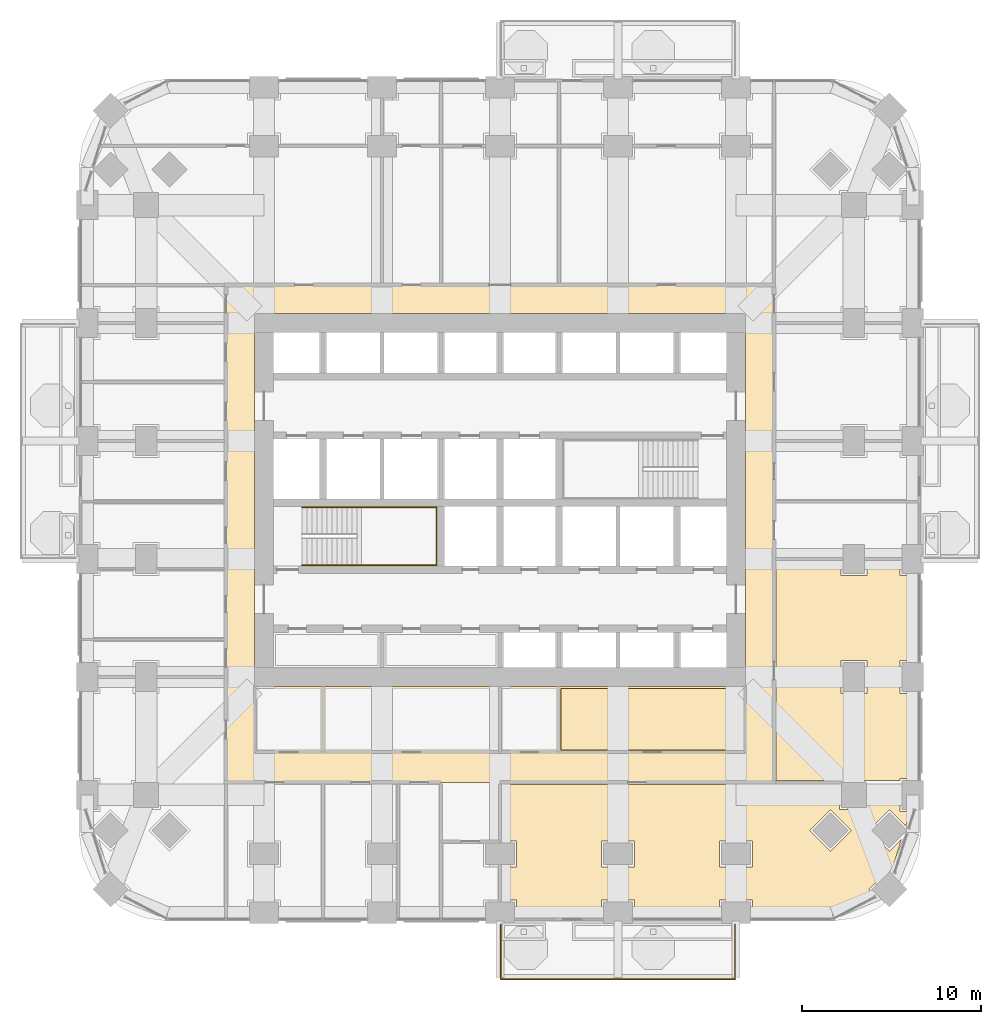
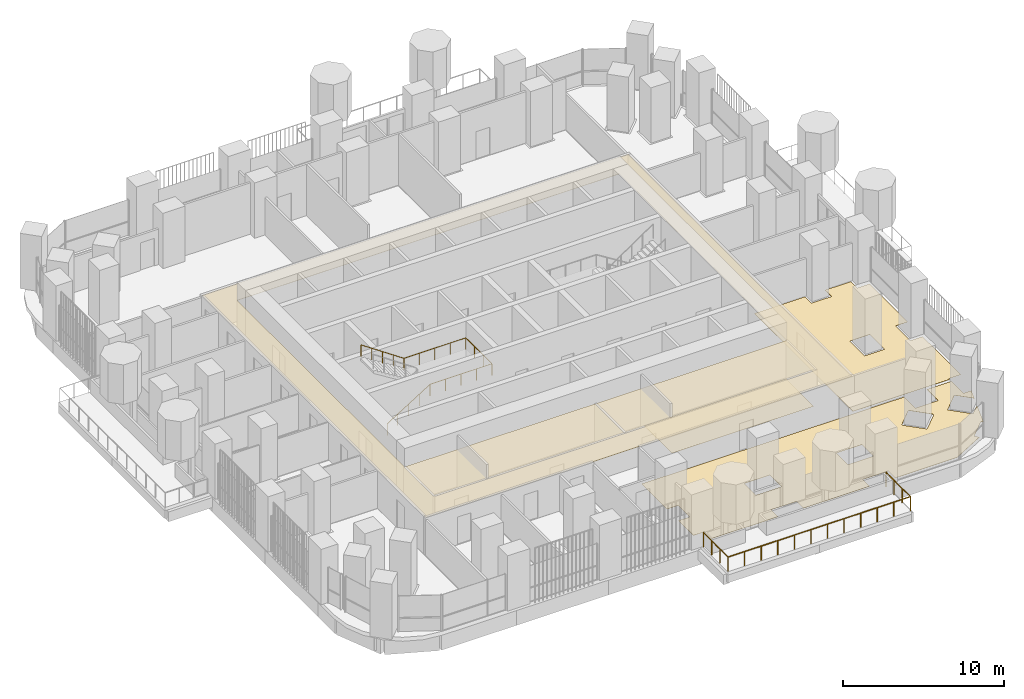
# One storey, part 18 of 21: 4 coverings, 2 railings.
"""IFC4 building model written with IfcOpenShell, lengths in metres."""

from ifc_helpers import new_model, si_unit, direction, frame, origin, place, context, subcontext, project, spatial, polyline, outline, extrude, material, layer, layer_set, type_object, element, save


model = new_model("IFC4")

# Units and contexts
model_context = context("Model", 3, precision=1e-05, world=origin(), true_north=direction((0.0, 1.0)))
body_context = subcontext(model_context, "Body", "Model", "MODEL_VIEW")
ifc_project = project(units=[si_unit("LENGTHUNIT", "METRE"), si_unit("AREAUNIT", "SQUARE_METRE"), si_unit("VOLUMEUNIT", "CUBIC_METRE"), si_unit("PLANEANGLEUNIT", "RADIAN"), si_unit("MASSUNIT", "GRAM", prefix="KILO")], contexts=[model_context])

# Site, building, storey
site_placement = place(None, origin())
site = spatial("IfcSite", under=ifc_project, at=site_placement, CompositionType="ELEMENT")
building_placement = place(site_placement, origin())
building = spatial("IfcBuilding", under=site, at=building_placement, Name="Cobogo Forest Laboratory Tower", CompositionType="ELEMENT")
storey_placement = place(building_placement, frame((0.0, 0.0, 86.39990234375)))
storey = spatial("IfcBuildingStorey", under=building, at=storey_placement, Name="L19", CompositionType="ELEMENT", Elevation=86.39990234375)

# Railing
ifc_material_1 = material(Name="Laminated glass balustrade", Category="glass")
railing_type_1 = type_object("IfcRailingType", Name="BG1 glass balustrade 1100", PredefinedType="GUARDRAIL", material=ifc_material_1)
railing_1_placement = place(storey_placement, frame((26.449951171875, -0.64990234375, 0.0)))
element("IfcRailing", 1, at=railing_1_placement, inside=storey, type_object=railing_type_1, Name="Balcony balustrade BAL-S1 L19", PredefinedType="GUARDRAIL", context=body_context, shape_type="SweptSolid", body=[
    extrude(outline(polyline([(0.022216796875, 0.00927734375), (0.00927734375, 0.022216796875), (-0.00927734375, 0.022216796875), (-0.022216796875, 0.00927734375), (-0.022216796875, -0.00927734375), (-0.00927734375, -0.022216796875), (0.00927734375, -0.022216796875), (0.022216796875, -0.00927734375), (0.022216796875, 0.00927734375)])), frame((0.0, 0.0, 1.077880859375), z_axis=(0.0, -1.0, 0.0), x_axis=(1.0, 0.0, 0.0)), (0.0, 0.0, 1.0), 3.050048828125),
    extrude(outline(polyline([(0.022216796875, 0.00927734375), (0.00927734375, 0.022216796875), (-0.00927734375, 0.022216796875), (-0.022216796875, 0.00927734375), (-0.022216796875, -0.00927734375), (-0.00927734375, -0.022216796875), (0.00927734375, -0.022216796875), (0.022216796875, -0.00927734375), (0.022216796875, 0.00927734375)])), frame((0.0, -3.050048828125, 1.077880859375), z_axis=(1.0, 0.0, 0.0), x_axis=(0.0, 1.0, 0.0)), (0.0, 0.0, 1.0), 13.10009765625),
    extrude(outline(polyline([(0.022216796875, 0.00927734375), (0.00927734375, 0.022216796875), (-0.00927734375, 0.022216796875), (-0.022216796875, 0.00927734375), (-0.022216796875, -0.00927734375), (-0.00927734375, -0.022216796875), (0.00927734375, -0.022216796875), (0.022216796875, -0.00927734375), (0.022216796875, 0.00927734375)])), frame((13.10009765625, -3.050048828125, 1.077880859375), z_axis=(0.0, 1.0, 0.0), x_axis=(-1.0, 0.0, 0.0)), (0.0, 0.0, 1.0), 3.050048828125),
    extrude(outline(polyline([(0.019287109375, 0.008056640625), (0.008056640625, 0.019287109375), (-0.008056640625, 0.019287109375), (-0.019287109375, 0.008056640625), (-0.019287109375, -0.008056640625), (-0.008056640625, -0.019287109375), (0.008056640625, -0.019287109375), (0.019287109375, -0.008056640625), (0.019287109375, 0.008056640625)])), origin(), (0.0, 0.0, 1.0), 1.077880859375),
    extrude(outline(polyline([(0.019287109375, 0.008056640625), (0.008056640625, 0.019287109375), (-0.008056640625, 0.019287109375), (-0.019287109375, 0.008056640625), (-0.019287109375, -0.008056640625), (-0.008056640625, -0.019287109375), (0.008056640625, -0.019287109375), (0.019287109375, -0.008056640625), (0.019287109375, 0.008056640625)])), frame((0.0, -1.0166015625, 0.0)), (0.0, 0.0, 1.0), 1.077880859375),
    extrude(outline(polyline([(0.019287109375, 0.008056640625), (0.008056640625, 0.019287109375), (-0.008056640625, 0.019287109375), (-0.019287109375, 0.008056640625), (-0.019287109375, -0.008056640625), (-0.008056640625, -0.019287109375), (0.008056640625, -0.019287109375), (0.019287109375, -0.008056640625), (0.019287109375, 0.008056640625)])), frame((0.0, -2.033447265625, 0.0)), (0.0, 0.0, 1.0), 1.077880859375),
    extrude(outline(polyline([(0.019287109375, 0.008056640625), (0.008056640625, 0.019287109375), (-0.008056640625, 0.019287109375), (-0.019287109375, 0.008056640625), (-0.019287109375, -0.008056640625), (-0.008056640625, -0.019287109375), (0.008056640625, -0.019287109375), (0.019287109375, -0.008056640625), (0.019287109375, 0.008056640625)])), frame((0.0, -3.050048828125, 0.0)), (0.0, 0.0, 1.0), 1.077880859375),
    extrude(outline(polyline([(0.019287109375, 0.008056640625), (0.008056640625, 0.019287109375), (-0.008056640625, 0.019287109375), (-0.019287109375, 0.008056640625), (-0.019287109375, -0.008056640625), (-0.008056640625, -0.019287109375), (0.008056640625, -0.019287109375), (0.019287109375, -0.008056640625), (0.019287109375, 0.008056640625)])), frame((1.19091796875, -3.050048828125, 0.0)), (0.0, 0.0, 1.0), 1.077880859375),
    extrude(outline(polyline([(0.019287109375, 0.008056640625), (0.008056640625, 0.019287109375), (-0.008056640625, 0.019287109375), (-0.019287109375, 0.008056640625), (-0.019287109375, -0.008056640625), (-0.008056640625, -0.019287109375), (0.008056640625, -0.019287109375), (0.019287109375, -0.008056640625), (0.019287109375, 0.008056640625)])), frame((2.3818359375, -3.050048828125, 0.0)), (0.0, 0.0, 1.0), 1.077880859375),
    extrude(outline(polyline([(0.019287109375, 0.008056640625), (0.008056640625, 0.019287109375), (-0.008056640625, 0.019287109375), (-0.019287109375, 0.008056640625), (-0.019287109375, -0.008056640625), (-0.008056640625, -0.019287109375), (0.008056640625, -0.019287109375), (0.019287109375, -0.008056640625), (0.019287109375, 0.008056640625)])), frame((3.57275390625, -3.050048828125, 0.0)), (0.0, 0.0, 1.0), 1.077880859375),
    extrude(outline(polyline([(0.019287109375, 0.008056640625), (0.008056640625, 0.019287109375), (-0.008056640625, 0.019287109375), (-0.019287109375, 0.008056640625), (-0.019287109375, -0.008056640625), (-0.008056640625, -0.019287109375), (0.008056640625, -0.019287109375), (0.019287109375, -0.008056640625), (0.019287109375, 0.008056640625)])), frame((4.763671875, -3.050048828125, 0.0)), (0.0, 0.0, 1.0), 1.077880859375),
    extrude(outline(polyline([(0.019287109375, 0.008056640625), (0.008056640625, 0.019287109375), (-0.008056640625, 0.019287109375), (-0.019287109375, 0.008056640625), (-0.019287109375, -0.008056640625), (-0.008056640625, -0.019287109375), (0.008056640625, -0.019287109375), (0.019287109375, -0.008056640625), (0.019287109375, 0.008056640625)])), frame((5.95458984375, -3.050048828125, 0.0)), (0.0, 0.0, 1.0), 1.077880859375),
    extrude(outline(polyline([(0.019287109375, 0.008056640625), (0.008056640625, 0.019287109375), (-0.008056640625, 0.019287109375), (-0.019287109375, 0.008056640625), (-0.019287109375, -0.008056640625), (-0.008056640625, -0.019287109375), (0.008056640625, -0.019287109375), (0.019287109375, -0.008056640625), (0.019287109375, 0.008056640625)])), frame((7.1455078125, -3.050048828125, 0.0)), (0.0, 0.0, 1.0), 1.077880859375),
    extrude(outline(polyline([(0.019287109375, 0.008056640625), (0.008056640625, 0.019287109375), (-0.008056640625, 0.019287109375), (-0.019287109375, 0.008056640625), (-0.019287109375, -0.008056640625), (-0.008056640625, -0.019287109375), (0.008056640625, -0.019287109375), (0.019287109375, -0.008056640625), (0.019287109375, 0.008056640625)])), frame((8.33642578125, -3.050048828125, 0.0)), (0.0, 0.0, 1.0), 1.077880859375),
    extrude(outline(polyline([(0.019287109375, 0.008056640625), (0.008056640625, 0.019287109375), (-0.008056640625, 0.019287109375), (-0.019287109375, 0.008056640625), (-0.019287109375, -0.008056640625), (-0.008056640625, -0.019287109375), (0.008056640625, -0.019287109375), (0.019287109375, -0.008056640625), (0.019287109375, 0.008056640625)])), frame((9.52734375, -3.050048828125, 0.0)), (0.0, 0.0, 1.0), 1.077880859375),
    extrude(outline(polyline([(0.019287109375, 0.008056640625), (0.008056640625, 0.019287109375), (-0.008056640625, 0.019287109375), (-0.019287109375, 0.008056640625), (-0.019287109375, -0.008056640625), (-0.008056640625, -0.019287109375), (0.008056640625, -0.019287109375), (0.019287109375, -0.008056640625), (0.019287109375, 0.008056640625)])), frame((10.71826171875, -3.050048828125, 0.0)), (0.0, 0.0, 1.0), 1.077880859375),
    extrude(outline(polyline([(0.019287109375, 0.008056640625), (0.008056640625, 0.019287109375), (-0.008056640625, 0.019287109375), (-0.019287109375, 0.008056640625), (-0.019287109375, -0.008056640625), (-0.008056640625, -0.019287109375), (0.008056640625, -0.019287109375), (0.019287109375, -0.008056640625), (0.019287109375, 0.008056640625)])), frame((11.9091796875, -3.050048828125, 0.0)), (0.0, 0.0, 1.0), 1.077880859375),
    extrude(outline(polyline([(0.019287109375, 0.008056640625), (0.008056640625, 0.019287109375), (-0.008056640625, 0.019287109375), (-0.019287109375, 0.008056640625), (-0.019287109375, -0.008056640625), (-0.008056640625, -0.019287109375), (0.008056640625, -0.019287109375), (0.019287109375, -0.008056640625), (0.019287109375, 0.008056640625)])), frame((13.10009765625, -3.050048828125, 0.0)), (0.0, 0.0, 1.0), 1.077880859375),
    extrude(outline(polyline([(0.019287109375, 0.008056640625), (0.008056640625, 0.019287109375), (-0.008056640625, 0.019287109375), (-0.019287109375, 0.008056640625), (-0.019287109375, -0.008056640625), (-0.008056640625, -0.019287109375), (0.008056640625, -0.019287109375), (0.019287109375, -0.008056640625), (0.019287109375, 0.008056640625)])), frame((13.10009765625, -2.033447265625, 0.0)), (0.0, 0.0, 1.0), 1.077880859375),
    extrude(outline(polyline([(0.019287109375, 0.008056640625), (0.008056640625, 0.019287109375), (-0.008056640625, 0.019287109375), (-0.019287109375, 0.008056640625), (-0.019287109375, -0.008056640625), (-0.008056640625, -0.019287109375), (0.008056640625, -0.019287109375), (0.019287109375, -0.008056640625), (0.019287109375, 0.008056640625)])), frame((13.10009765625, -1.0166015625, 0.0)), (0.0, 0.0, 1.0), 1.077880859375),
    extrude(outline(polyline([(0.019287109375, 0.008056640625), (0.008056640625, 0.019287109375), (-0.008056640625, 0.019287109375), (-0.019287109375, 0.008056640625), (-0.019287109375, -0.008056640625), (-0.008056640625, -0.019287109375), (0.008056640625, -0.019287109375), (0.019287109375, -0.008056640625), (0.019287109375, 0.008056640625)])), frame((13.10009765625, 0.0, 0.0)), (0.0, 0.0, 1.0), 1.077880859375),
])

# Coverings
ifc_material_2 = material(Name="Mineral fibre ceiling tile", Category="ceiling")
ifc_layer_1 = layer(ifc_material_2, 0.02001953125)
ifc_layer_set_1 = layer_set([ifc_layer_1], Name="CL1 suspended ceiling")
covering_type_1 = type_object("IfcCoveringType", Name="CL1 suspended ceiling", PredefinedType="CEILING", material=ifc_layer_set_1)
covering_1_placement = place(storey_placement, frame((0.0, 0.0, 2.800048828125)))
element("IfcCovering", 2, at=covering_1_placement, inside=storey, type_object=covering_type_1, Name="Corridor ceiling L19", PredefinedType="CEILING", context=body_context, shape_type="SweptSolid", body=[
    extrude(outline(polyline([(11.074951171875, 7.300048828125), (11.074951171875, 35.125), (41.72509765625, 35.125), (41.72509765625, 7.300048828125), (11.074951171875, 7.300048828125)]), holes=[polyline([(40.125, 33.52490234375), (12.675048828125, 33.52490234375), (12.675048828125, 12.675048828125), (40.125, 12.675048828125), (40.125, 33.52490234375)])]), origin(), (0.0, 0.0, 1.0), 0.02001953125),
])
ifc_material_3 = material(Name="Carpet tile on raised access floor", Category="flooring")
ifc_layer_2 = layer(ifc_material_3, 0.008056640625)
ifc_layer_set_2 = layer_set([ifc_layer_2], Name="CT1 carpet tile floor 8")
covering_type_2 = type_object("IfcCoveringType", Name="CT1 carpet tile floor 8", PredefinedType="FLOORING", material=ifc_layer_set_2)
covering_2_placement = place(storey_placement, origin())
element("IfcCovering", 3, at=covering_2_placement, inside=storey, type_object=covering_type_2, Name="Carpet floor L19-10", PredefinedType="FLOORING", context=body_context, shape_type="SweptSolid", body=[
    extrude(outline(polyline([(41.844970703125, 19.679931640625), (45.47998046875, 19.679931640625), (45.47998046875, 18.8798828125), (46.919921875, 18.8798828125), (46.919921875, 19.679931640625), (48.780029296875, 19.679931640625), (48.780029296875, 18.8798828125), (49.64990234375, 18.8798828125), (49.64990234375, 14.1201171875), (48.780029296875, 14.1201171875), (48.780029296875, 12.280029296875), (49.64990234375, 12.280029296875), (49.64990234375, 7.52001953125), (48.780029296875, 7.52001953125), (48.780029296875, 7.419921875), (41.844970703125, 7.419921875), (41.844970703125, 19.679931640625)]), holes=[polyline([(45.47998046875, 12.280029296875), (46.919921875, 12.280029296875), (46.919921875, 14.1201171875), (45.47998046875, 14.1201171875), (45.47998046875, 12.280029296875)])]), origin(), (0.0, 0.0, 1.0), 0.008056640625),
])

# Railing
ifc_material_4 = material(Name="Stainless steel handrail", Category="steel")
railing_type_2 = type_object("IfcRailingType", Name="HR handrail 900", PredefinedType="HANDRAIL", material=ifc_material_4)
railing_2_placement = place(storey_placement, frame((15.324951171875, 19.449951171875, 0.175048828125)))
element("IfcRailing", 4, at=railing_2_placement, inside=storey, type_object=railing_type_2, Name="Stair handrail ST1 L19", PredefinedType="HANDRAIL", context=body_context, shape_type="SweptSolid", body=[
    extrude(outline(polyline([(0.022216796875, 0.00927734375), (0.00927734375, 0.022216796875), (-0.00927734375, 0.022216796875), (-0.022216796875, 0.00927734375), (-0.022216796875, -0.00927734375), (-0.00927734375, -0.022216796875), (0.00927734375, -0.022216796875), (0.022216796875, -0.00927734375), (0.022216796875, 0.00927734375)])), frame((0.0, 0.0, 0.877685546875), z_axis=(0.847998304005, 0.0, 0.529998940003), x_axis=(0.0, 1.0, 0.0)), (0.0, 0.0, 1.0), 3.632080078125),
    extrude(outline(polyline([(0.022216796875, 0.00927734375), (0.00927734375, 0.022216796875), (-0.00927734375, 0.022216796875), (-0.022216796875, 0.00927734375), (-0.022216796875, -0.00927734375), (-0.00927734375, -0.022216796875), (0.00927734375, -0.022216796875), (0.022216796875, -0.00927734375), (0.022216796875, 0.00927734375)])), frame((3.080078125, 0.0, 2.802734375), z_axis=(1.0, 0.0, 0.0), x_axis=(0.0, 1.0, 0.0)), (0.0, 0.0, 1.0), 4.445068359375),
    extrude(outline(polyline([(0.022216796875, 0.00927734375), (0.00927734375, 0.022216796875), (-0.00927734375, 0.022216796875), (-0.022216796875, 0.00927734375), (-0.022216796875, -0.00927734375), (-0.00927734375, -0.022216796875), (0.00927734375, -0.022216796875), (0.022216796875, -0.00927734375), (0.022216796875, 0.00927734375)])), frame((7.525146484375, 0.0, 2.802734375), z_axis=(0.0, 1.0, 0.0), x_axis=(-1.0, 0.0, 0.0)), (0.0, 0.0, 1.0), 3.25),
    extrude(outline(polyline([(0.022216796875, 0.00927734375), (0.00927734375, 0.022216796875), (-0.00927734375, 0.022216796875), (-0.022216796875, 0.00927734375), (-0.022216796875, -0.00927734375), (-0.00927734375, -0.022216796875), (0.00927734375, -0.022216796875), (0.022216796875, -0.00927734375), (0.022216796875, 0.00927734375)])), frame((7.525146484375, 3.25, 2.802734375), z_axis=(-1.0, 0.0, 0.0), x_axis=(0.0, -1.0, 0.0)), (0.0, 0.0, 1.0), 4.445068359375),
    extrude(outline(polyline([(0.022216796875, 0.00927734375), (0.00927734375, 0.022216796875), (-0.00927734375, 0.022216796875), (-0.022216796875, 0.00927734375), (-0.022216796875, -0.00927734375), (-0.00927734375, -0.022216796875), (0.00927734375, -0.022216796875), (0.022216796875, -0.00927734375), (0.022216796875, 0.00927734375)])), frame((3.080078125, 3.25, 2.802734375), z_axis=(-0.826221800596, 0.0, 0.563344953133), x_axis=(0.0, -1.0, 0.0)), (0.0, 0.0, 1.0), 3.72802734375),
    extrude(outline(polyline([(0.019287109375, 0.008056640625), (0.008056640625, 0.019287109375), (-0.008056640625, 0.019287109375), (-0.019287109375, 0.008056640625), (-0.019287109375, -0.008056640625), (-0.008056640625, -0.019287109375), (0.008056640625, -0.019287109375), (0.019287109375, -0.008056640625), (0.019287109375, 0.008056640625)])), origin(), (0.0, 0.0, 1.0), 0.877685546875),
    extrude(outline(polyline([(0.019287109375, 0.008056640625), (0.008056640625, 0.019287109375), (-0.008056640625, 0.019287109375), (-0.019287109375, 0.008056640625), (-0.019287109375, -0.008056640625), (-0.008056640625, -0.019287109375), (0.008056640625, -0.019287109375), (0.019287109375, -0.008056640625), (0.019287109375, 0.008056640625)])), frame((0.77001953125, 0.0, 0.481201171875)), (0.0, 0.0, 1.0), 0.877685546875),
    extrude(outline(polyline([(0.019287109375, 0.008056640625), (0.008056640625, 0.019287109375), (-0.008056640625, 0.019287109375), (-0.019287109375, 0.008056640625), (-0.019287109375, -0.008056640625), (-0.008056640625, -0.019287109375), (0.008056640625, -0.019287109375), (0.019287109375, -0.008056640625), (0.019287109375, 0.008056640625)])), frame((1.5400390625, 0.0, 0.96240234375)), (0.0, 0.0, 1.0), 0.877685546875),
    extrude(outline(polyline([(0.019287109375, 0.008056640625), (0.008056640625, 0.019287109375), (-0.008056640625, 0.019287109375), (-0.019287109375, 0.008056640625), (-0.019287109375, -0.008056640625), (-0.008056640625, -0.019287109375), (0.008056640625, -0.019287109375), (0.019287109375, -0.008056640625), (0.019287109375, 0.008056640625)])), frame((2.31005859375, 0.0, 1.44384765625)), (0.0, 0.0, 1.0), 0.877685546875),
    extrude(outline(polyline([(0.019287109375, 0.008056640625), (0.008056640625, 0.019287109375), (-0.008056640625, 0.019287109375), (-0.019287109375, 0.008056640625), (-0.019287109375, -0.008056640625), (-0.008056640625, -0.019287109375), (0.008056640625, -0.019287109375), (0.019287109375, -0.008056640625), (0.019287109375, 0.008056640625)])), frame((3.080078125, 0.0, 1.925048828125)), (0.0, 0.0, 1.0), 0.877685546875),
    extrude(outline(polyline([(0.019287109375, 0.008056640625), (0.008056640625, 0.019287109375), (-0.008056640625, 0.019287109375), (-0.019287109375, 0.008056640625), (-0.019287109375, -0.008056640625), (-0.008056640625, -0.019287109375), (0.008056640625, -0.019287109375), (0.019287109375, -0.008056640625), (0.019287109375, 0.008056640625)])), frame((4.19140625, 0.0, 1.925048828125)), (0.0, 0.0, 1.0), 0.877685546875),
    extrude(outline(polyline([(0.019287109375, 0.008056640625), (0.008056640625, 0.019287109375), (-0.008056640625, 0.019287109375), (-0.019287109375, 0.008056640625), (-0.019287109375, -0.008056640625), (-0.008056640625, -0.019287109375), (0.008056640625, -0.019287109375), (0.019287109375, -0.008056640625), (0.019287109375, 0.008056640625)])), frame((5.302734375, 0.0, 1.925048828125)), (0.0, 0.0, 1.0), 0.877685546875),
    extrude(outline(polyline([(0.019287109375, 0.008056640625), (0.008056640625, 0.019287109375), (-0.008056640625, 0.019287109375), (-0.019287109375, 0.008056640625), (-0.019287109375, -0.008056640625), (-0.008056640625, -0.019287109375), (0.008056640625, -0.019287109375), (0.019287109375, -0.008056640625), (0.019287109375, 0.008056640625)])), frame((6.413818359375, 0.0, 1.925048828125)), (0.0, 0.0, 1.0), 0.877685546875),
    extrude(outline(polyline([(0.019287109375, 0.008056640625), (0.008056640625, 0.019287109375), (-0.008056640625, 0.019287109375), (-0.019287109375, 0.008056640625), (-0.019287109375, -0.008056640625), (-0.008056640625, -0.019287109375), (0.008056640625, -0.019287109375), (0.019287109375, -0.008056640625), (0.019287109375, 0.008056640625)])), frame((7.525146484375, 0.0, 1.925048828125)), (0.0, 0.0, 1.0), 0.877685546875),
    extrude(outline(polyline([(0.019287109375, 0.008056640625), (0.008056640625, 0.019287109375), (-0.008056640625, 0.019287109375), (-0.019287109375, 0.008056640625), (-0.019287109375, -0.008056640625), (-0.008056640625, -0.019287109375), (0.008056640625, -0.019287109375), (0.019287109375, -0.008056640625), (0.019287109375, 0.008056640625)])), frame((7.525146484375, 1.083251953125, 1.925048828125)), (0.0, 0.0, 1.0), 0.877685546875),
    extrude(outline(polyline([(0.019287109375, 0.008056640625), (0.008056640625, 0.019287109375), (-0.008056640625, 0.019287109375), (-0.019287109375, 0.008056640625), (-0.019287109375, -0.008056640625), (-0.008056640625, -0.019287109375), (0.008056640625, -0.019287109375), (0.019287109375, -0.008056640625), (0.019287109375, 0.008056640625)])), frame((7.525146484375, 2.166748046875, 1.925048828125)), (0.0, 0.0, 1.0), 0.877685546875),
    extrude(outline(polyline([(0.019287109375, 0.008056640625), (0.008056640625, 0.019287109375), (-0.008056640625, 0.019287109375), (-0.019287109375, 0.008056640625), (-0.019287109375, -0.008056640625), (-0.008056640625, -0.019287109375), (0.008056640625, -0.019287109375), (0.019287109375, -0.008056640625), (0.019287109375, 0.008056640625)])), frame((7.525146484375, 3.25, 1.925048828125)), (0.0, 0.0, 1.0), 0.877685546875),
    extrude(outline(polyline([(0.019287109375, 0.008056640625), (0.008056640625, 0.019287109375), (-0.008056640625, 0.019287109375), (-0.019287109375, 0.008056640625), (-0.019287109375, -0.008056640625), (-0.008056640625, -0.019287109375), (0.008056640625, -0.019287109375), (0.019287109375, -0.008056640625), (0.019287109375, 0.008056640625)])), frame((6.413818359375, 3.25, 1.925048828125)), (0.0, 0.0, 1.0), 0.877685546875),
    extrude(outline(polyline([(0.019287109375, 0.008056640625), (0.008056640625, 0.019287109375), (-0.008056640625, 0.019287109375), (-0.019287109375, 0.008056640625), (-0.019287109375, -0.008056640625), (-0.008056640625, -0.019287109375), (0.008056640625, -0.019287109375), (0.019287109375, -0.008056640625), (0.019287109375, 0.008056640625)])), frame((5.302734375, 3.25, 1.925048828125)), (0.0, 0.0, 1.0), 0.877685546875),
    extrude(outline(polyline([(0.019287109375, 0.008056640625), (0.008056640625, 0.019287109375), (-0.008056640625, 0.019287109375), (-0.019287109375, 0.008056640625), (-0.019287109375, -0.008056640625), (-0.008056640625, -0.019287109375), (0.008056640625, -0.019287109375), (0.019287109375, -0.008056640625), (0.019287109375, 0.008056640625)])), frame((4.19140625, 3.25, 1.925048828125)), (0.0, 0.0, 1.0), 0.877685546875),
    extrude(outline(polyline([(0.019287109375, 0.008056640625), (0.008056640625, 0.019287109375), (-0.008056640625, 0.019287109375), (-0.019287109375, 0.008056640625), (-0.019287109375, -0.008056640625), (-0.008056640625, -0.019287109375), (0.008056640625, -0.019287109375), (0.019287109375, -0.008056640625), (0.019287109375, 0.008056640625)])), frame((3.080078125, 3.25, 1.925048828125)), (0.0, 0.0, 1.0), 0.877685546875),
    extrude(outline(polyline([(0.019287109375, 0.008056640625), (0.008056640625, 0.019287109375), (-0.008056640625, 0.019287109375), (-0.019287109375, 0.008056640625), (-0.019287109375, -0.008056640625), (-0.008056640625, -0.019287109375), (0.008056640625, -0.019287109375), (0.019287109375, -0.008056640625), (0.019287109375, 0.008056640625)])), frame((2.31005859375, 3.25, 2.4501953125)), (0.0, 0.0, 1.0), 0.877685546875),
    extrude(outline(polyline([(0.019287109375, 0.008056640625), (0.008056640625, 0.019287109375), (-0.008056640625, 0.019287109375), (-0.019287109375, 0.008056640625), (-0.019287109375, -0.008056640625), (-0.008056640625, -0.019287109375), (0.008056640625, -0.019287109375), (0.019287109375, -0.008056640625), (0.019287109375, 0.008056640625)])), frame((1.5400390625, 3.25, 2.97509765625)), (0.0, 0.0, 1.0), 0.877685546875),
    extrude(outline(polyline([(0.019287109375, 0.008056640625), (0.008056640625, 0.019287109375), (-0.008056640625, 0.019287109375), (-0.019287109375, 0.008056640625), (-0.019287109375, -0.008056640625), (-0.008056640625, -0.019287109375), (0.008056640625, -0.019287109375), (0.019287109375, -0.008056640625), (0.019287109375, 0.008056640625)])), frame((0.77001953125, 3.25, 3.5)), (0.0, 0.0, 1.0), 0.877685546875),
    extrude(outline(polyline([(0.019287109375, 0.008056640625), (0.008056640625, 0.019287109375), (-0.008056640625, 0.019287109375), (-0.019287109375, 0.008056640625), (-0.019287109375, -0.008056640625), (-0.008056640625, -0.019287109375), (0.008056640625, -0.019287109375), (0.019287109375, -0.008056640625), (0.019287109375, 0.008056640625)])), frame((0.0, 3.25, 4.025146484375)), (0.0, 0.0, 1.0), 0.877685546875),
])

# Coverings
ifc_material_5 = material(Name="Epoxy resin flooring", Category="flooring")
ifc_layer_3 = layer(ifc_material_5, 0.00390625)
ifc_layer_set_3 = layer_set([ifc_layer_3], Name="LF1 epoxy laboratory floor 4")
covering_type_3 = type_object("IfcCoveringType", Name="LF1 epoxy laboratory floor 4", PredefinedType="FLOORING", material=ifc_layer_set_3)
covering_3_placement = place(storey_placement, origin())
element("IfcCovering", 5, at=covering_3_placement, inside=storey, type_object=covering_type_3, Name="Epoxy laboratory floor L19-04", PredefinedType="FLOORING", context=body_context, shape_type="SweptSolid", body=[
    extrude(outline(polyline([(40.0048828125, 9.1201171875), (29.820068359375, 9.1201171875), (29.820068359375, 12.554931640625), (40.0048828125, 12.554931640625), (40.0048828125, 9.1201171875)])), origin(), (0.0, 0.0, 1.0), 0.004150390625),
])
ifc_material_6 = material(Name="Ceramic floor tile", Category="flooring")
ifc_layer_4 = layer(ifc_material_6, 0.010009765625)
ifc_layer_set_4 = layer_set([ifc_layer_4], Name="TF1 ceramic tile floor 10")
covering_type_4 = type_object("IfcCoveringType", Name="TF1 ceramic tile floor 10", PredefinedType="FLOORING", material=ifc_layer_set_4)
covering_4_placement = place(storey_placement, origin())
element("IfcCovering", 6, at=covering_4_placement, inside=storey, type_object=covering_type_4, Name="Tile floor L19-09", PredefinedType="FLOORING", context=body_context, shape_type="SweptSolid", body=[
    extrude(outline(polyline([(45.3798828125, 7.179931640625), (45.3798828125, 5.780029296875), (47.02001953125, 5.780029296875), (47.02001953125, 7.179931640625), (48.780029296875, 7.179931640625), (48.780029296875, 5.679931640625), (49.349853515625, 5.679931640625), (49.093017578125, 4.86669921875), (48.181884765625, 5.777587890625), (47.022216796875, 4.617919921875), (48.181884765625, 3.458251953125), (48.86328125, 4.1396484375), (48.30078125, 2.358642578125), (48.181884765625, 2.477783203125), (47.022216796875, 1.318115234375), (47.27294921875, 1.0673828125), (44.95068359375, -0.14990234375), (40.52001953125, -0.14990234375), (40.52001953125, 0.719970703125), (38.679931640625, 0.719970703125), (38.679931640625, -0.14990234375), (33.919921875, -0.14990234375), (33.919921875, 0.719970703125), (32.080078125, 0.719970703125), (32.080078125, -0.14990234375), (27.320068359375, -0.14990234375), (27.320068359375, 0.719970703125), (26.52001953125, 0.719970703125), (26.52001953125, 2.580078125), (27.320068359375, 2.580078125), (27.320068359375, 4.02001953125), (26.52001953125, 4.02001953125), (26.52001953125, 7.179931640625), (45.3798828125, 7.179931640625)]), holes=[polyline([(43.722412109375, 4.617919921875), (44.882080078125, 3.458251953125), (46.041748046875, 4.617919921875), (44.882080078125, 5.777587890625), (43.722412109375, 4.617919921875)]), polyline([(38.679931640625, 4.02001953125), (38.679931640625, 2.580078125), (40.52001953125, 2.580078125), (40.52001953125, 4.02001953125), (38.679931640625, 4.02001953125)]), polyline([(32.080078125, 4.02001953125), (32.080078125, 2.580078125), (33.919921875, 2.580078125), (33.919921875, 4.02001953125), (32.080078125, 4.02001953125)])]), origin(), (0.0, 0.0, 1.0), 0.010009765625),
])

save(model, "model.ifc")
